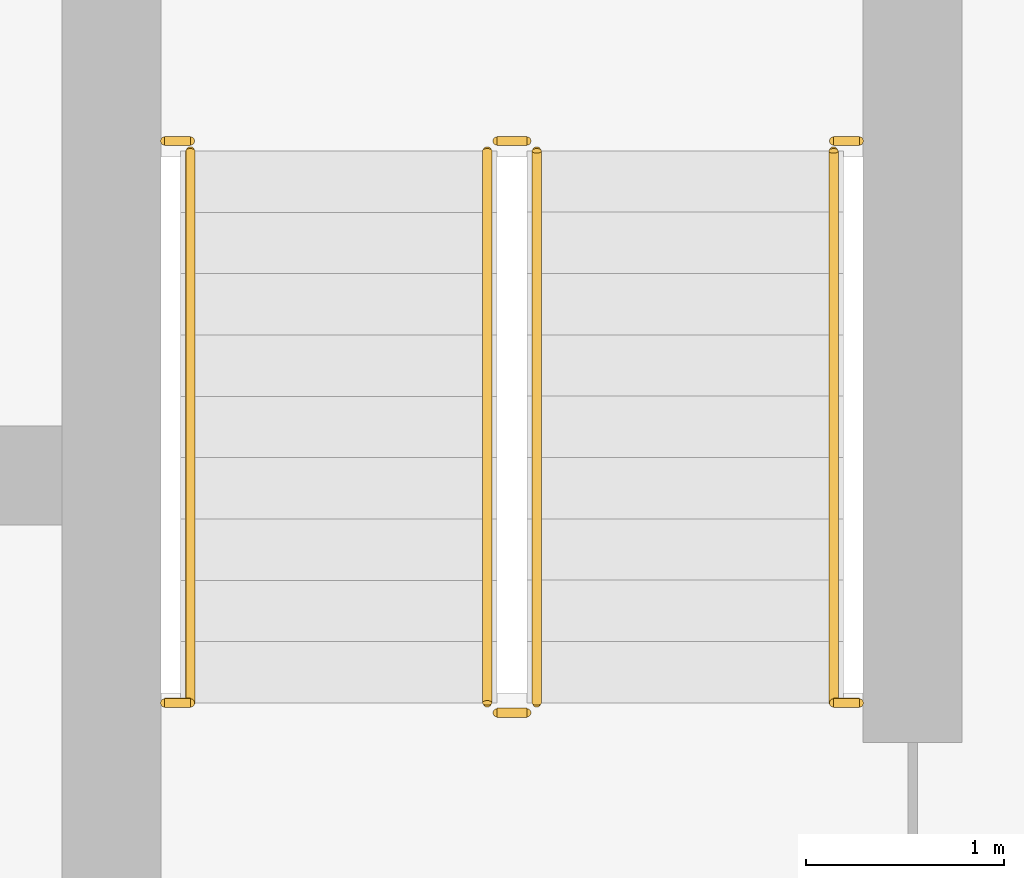
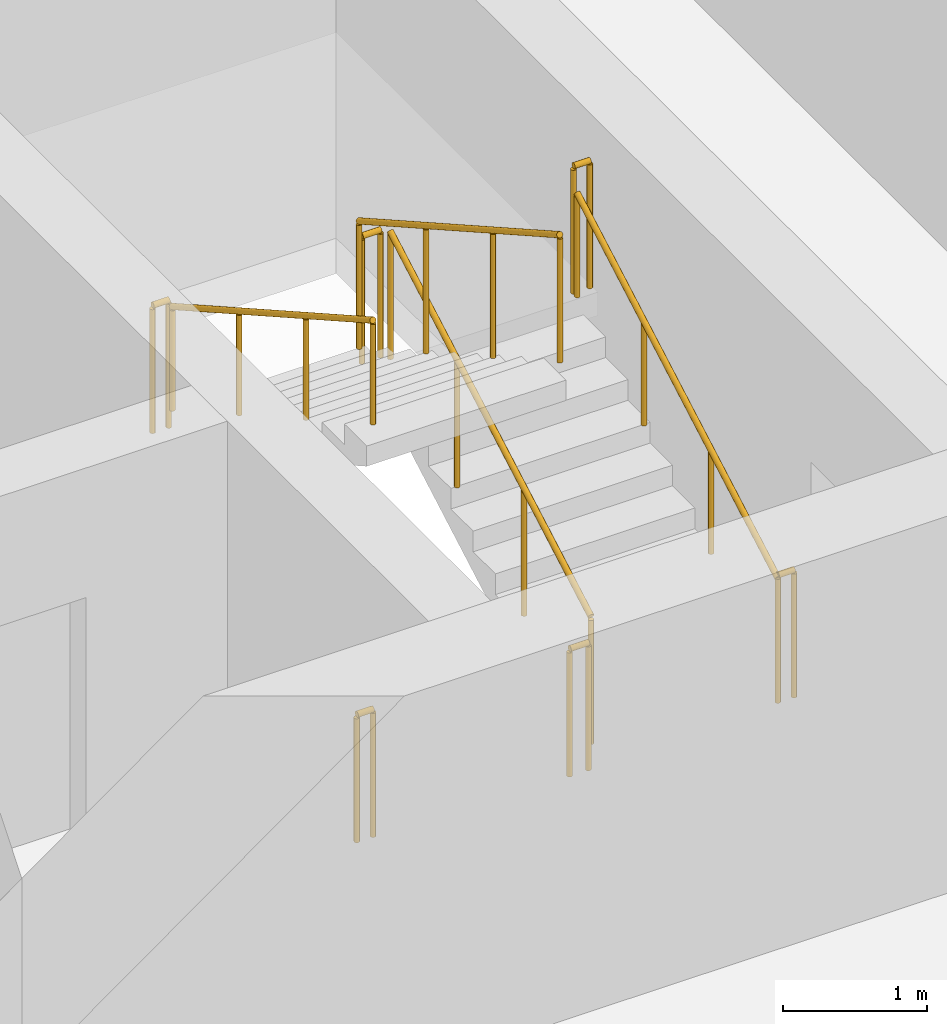
# One storey, part 20 of 22: 10 railings.
"""IFC4 building model written with IfcOpenShell, lengths in metres."""

import ifcopenshell
import ifcopenshell.guid

model = None  # the IFC model being written
_history = None  # IfcOwnerHistory: only IFC2X3 demands one
_inside = {}  # id of a spatial element -> (the spatial element, [elements in it])
_under = {}  # id of a project, library or spatial element -> (it, [spatial elements below it])
_declared = {}  # id of a project -> (the project, [libraries it declares])
_typed = {}  # id of a type object -> (the type object, [elements of that type])
_made_of = {}  # id of a material, layer set ... -> (it, [elements and type objects made of it])


def new_model(schema):
    """Start an empty IFC model of exactly this schema.

    Asked for "IFC4X3", IfcOpenShell would pick the latest addendum, in which some entities
    have other attributes; the version numbers below select the first issue.
    IFC2X3 requires an IfcOwnerHistory on every rooted entity: one is made here for all.
    """
    global model, _history
    if schema == "IFC4X3":
        model = ifcopenshell.file(schema_version=(4, 3, 0, 0))
    else:
        model = ifcopenshell.file(schema=schema)
    _inside.clear()
    _under.clear()
    _declared.clear()
    _typed.clear()
    _made_of.clear()
    _history = None
    if model.schema == "IFC2X3":
        org = make("IfcOrganization", Name="unknown")
        user = make(
            "IfcPersonAndOrganization",
            ThePerson=make("IfcPerson", FamilyName="unknown"),
            TheOrganization=org,
        )
        app = make(
            "IfcApplication",
            ApplicationDeveloper=org,
            Version="unknown",
            ApplicationFullName="unknown",
            ApplicationIdentifier="unknown",
        )
        _history = make(
            "IfcOwnerHistory",
            OwningUser=user,
            OwningApplication=app,
            ChangeAction="ADDED",
            CreationDate=0,
        )
    return model


def make(cls, **values):
    """One entity of the class cls with the attributes given. An attribute that is None is left unset."""
    return model.create_entity(
        cls, **{name: value for name, value in values.items() if value is not None}
    )


def rooted(cls, **values):
    """An entity with a GlobalId (a new one), such as an element, a storey or a relation."""
    return make(cls, GlobalId=ifcopenshell.guid.new(), OwnerHistory=_history, **values)


def si_unit(unit_type, name, prefix=None):
    """IfcSIUnit, for example si_unit("LENGTHUNIT", "METRE", prefix="MILLI")."""
    return make("IfcSIUnit", UnitType=unit_type, Prefix=prefix, Name=name)


def assignment(units):
    """IfcUnitAssignment: the units of a project."""
    return None if units is None else make("IfcUnitAssignment", Units=units)


def point(xyz):
    """IfcCartesianPoint."""
    return None if xyz is None else make("IfcCartesianPoint", Coordinates=xyz)


def direction(xyz):
    """IfcDirection."""
    return None if xyz is None else make("IfcDirection", DirectionRatios=xyz)


def frame(location, z_axis=None, x_axis=None):
    """IfcAxis2Placement3D, a coordinate frame: its origin and axes. An axis left out is left unset."""
    return make(
        "IfcAxis2Placement3D",
        Location=point(location),
        Axis=direction(z_axis),
        RefDirection=direction(x_axis),
    )


def frame_2d(location, x_axis=None):
    """IfcAxis2Placement2D, a coordinate frame in the plane: its origin and x axis."""
    return make(
        "IfcAxis2Placement2D", Location=point(location), RefDirection=direction(x_axis)
    )


def origin():
    """The frame at (0, 0, 0) with its axes left unset."""
    return frame((0.0, 0.0, 0.0))


def origin_2d():
    """The frame at (0, 0) in the plane with its x axis left unset."""
    return frame_2d((0.0, 0.0))


def place(relative_to, where):
    """IfcLocalPlacement: puts the frame where relative to a parent placement (None: the world)."""
    return make(
        "IfcLocalPlacement", PlacementRelTo=relative_to, RelativePlacement=where
    )


def context(
    kind, dimensions, precision=None, world=None, true_north=None, identifier=None
):
    """IfcGeometricRepresentationContext, for example the 3D "Model" context."""
    return make(
        "IfcGeometricRepresentationContext",
        ContextIdentifier=identifier,
        ContextType=kind,
        CoordinateSpaceDimension=dimensions,
        Precision=precision,
        WorldCoordinateSystem=world,
        TrueNorth=true_north,
    )


def subcontext(parent, identifier, kind, view, scale=None):
    """IfcGeometricRepresentationSubContext, for example "Body" below "Model"."""
    return make(
        "IfcGeometricRepresentationSubContext",
        ContextIdentifier=identifier,
        ContextType=kind,
        ParentContext=parent,
        TargetScale=scale,
        TargetView=view,
    )


def project(units=None, contexts=None):
    """IfcProject with its units and contexts."""
    return rooted(
        "IfcProject",
        Name="project",
        RepresentationContexts=contexts,
        UnitsInContext=assignment(units),
    )


def spatial(cls, under=None, at=None, **own):
    """A site, building, storey or space (cls), placed at a placement, below another one or the project."""
    s = rooted(cls, ObjectPlacement=at, **own)
    if under is not None:
        _under.setdefault(under.id(), (under, []))[1].append(s)
    return s


def profile(cls, at=None, kind="AREA", **sizes):
    """A parametric profile (cls). Its sizes go by their IFC names, for example OverallWidth=200.0."""
    return make(cls, ProfileType=kind, Position=at, **sizes)


def circle(**sizes):
    """IfcCircleProfileDef."""
    return profile("IfcCircleProfileDef", **sizes)


def extrude(swept, where, along, depth):
    """IfcExtrudedAreaSolid: the profile swept, set in the frame where, extruded along a direction by depth."""
    return make(
        "IfcExtrudedAreaSolid",
        SweptArea=swept,
        Position=where,
        ExtrudedDirection=direction(along),
        Depth=depth,
    )


def shape(context_of_items, identifier, shape_type, items):
    """IfcShapeRepresentation: the items that make up one representation, for example the "Body"."""
    return make(
        "IfcShapeRepresentation",
        ContextOfItems=context_of_items,
        RepresentationIdentifier=identifier,
        RepresentationType=shape_type,
        Items=items,
    )


def material(Name=None, Category=None):
    """IfcMaterial."""
    return make("IfcMaterial", Name=Name, Category=Category)


def made_of(thing, what):
    """Note that an element or type object is made of a material, layer set ...; save() writes the relation."""
    if what is not None:
        _made_of.setdefault(what.id(), (what, []))[1].append(thing)
    return thing


def type_object(cls, material=None, **own):
    """A type object (cls), such as IfcWallType, which elements share."""
    return made_of(rooted(cls, **own), material)


def element(
    cls,
    number,
    at=None,
    inside=None,
    cuts=None,
    type_object=None,
    material=None,
    context=None,
    identifier="Body",
    shape_type=None,
    held_by="IfcProductDefinitionShape",
    body=None,
    shapes=None,
    **own,
):
    """One element of the class cls, such as IfcWall. Its Tag is "e" and its number.

    at: its placement. inside: the storey or other place that contains it. cuts: it is an
    opening in that element (IfcRelVoidsElement). A single representation is given by context,
    identifier, shape_type and body (its items); several are given by shapes. held_by: the class
    of the entity that holds the representations. save() writes the other relations.
    """
    e = rooted(cls, Tag="e%d" % number, ObjectPlacement=at, **own)
    if body is not None:
        shapes = [shape(context, identifier, shape_type, body)]
    if shapes is not None:
        e.Representation = make(held_by, Representations=shapes)
    if inside is not None:
        _inside.setdefault(inside.id(), (inside, []))[1].append(e)
    if cuts is not None:
        rooted(
            "IfcRelVoidsElement", RelatingBuildingElement=cuts, RelatedOpeningElement=e
        )
    if type_object is not None:
        _typed.setdefault(type_object.id(), (type_object, []))[1].append(e)
    return made_of(e, material)


def aggregate(whole, parts):
    """IfcRelAggregates: a whole, such as a stair, and the parts it consists of."""
    return rooted("IfcRelAggregates", RelatingObject=whole, RelatedObjects=parts)


def save(model, path):
    """Write the relations noted so far, then the file.

    IfcRelAggregates (storeys below a building ...), IfcRelContainedInSpatialStructure (elements
    in a storey), IfcRelDefinesByType, IfcRelAssociatesMaterial and IfcRelDeclares: one each for
    every whole, place, type object, material and project.
    """
    for whole, parts in _under.values():
        aggregate(whole, parts)
    for where, things in _inside.values():
        rooted(
            "IfcRelContainedInSpatialStructure",
            RelatedElements=things,
            RelatingStructure=where,
        )
    for kind, things in _typed.values():
        rooted("IfcRelDefinesByType", RelatedObjects=things, RelatingType=kind)
    for what, things in _made_of.values():
        rooted("IfcRelAssociatesMaterial", RelatedObjects=things, RelatingMaterial=what)
    for by, libraries in _declared.values():
        rooted("IfcRelDeclares", RelatingContext=by, RelatedDefinitions=libraries)
    model.write(path)


model = new_model("IFC4")

# Units and contexts
model_context = context("Model", 3, precision=1e-05, world=origin(), true_north=direction((0.0, 1.0)))
body_context = subcontext(model_context, "Body", "Model", "MODEL_VIEW")
ifc_project = project(units=[si_unit("LENGTHUNIT", "METRE"), si_unit("AREAUNIT", "SQUARE_METRE"), si_unit("VOLUMEUNIT", "CUBIC_METRE"), si_unit("PLANEANGLEUNIT", "RADIAN"), si_unit("MASSUNIT", "GRAM", prefix="KILO")], contexts=[model_context])

# Site, building, storey
site_placement = place(None, origin())
site = spatial("IfcSite", under=ifc_project, at=site_placement, CompositionType="ELEMENT")
building_placement = place(site_placement, origin())
building = spatial("IfcBuilding", under=site, at=building_placement, Name="Madar Terraces", CompositionType="ELEMENT")
storey_placement = place(building_placement, frame((0.0, 0.0, 189.39990234375)))
storey = spatial("IfcBuildingStorey", under=building, at=storey_placement, Name="L49", CompositionType="ELEMENT", Elevation=189.39990234375)

# Railings
ifc_material_1 = material(Name="Stainless steel railing", Category="steel")
railing_type_1 = type_object("IfcRailingType", Name="Stair guard 1100", PredefinedType="GUARDRAIL", material=ifc_material_1)
railing_1_placement = place(storey_placement, frame((41.449951171875, 17.60009765625, 0.175048828125)))
element("IfcRailing", 1, at=railing_1_placement, inside=storey, type_object=railing_type_1, Name="L49 ST3 stair guard 1", PredefinedType="GUARDRAIL", context=body_context, shape_type="SweptSolid", body=[
    extrude(circle(Radius=0.02392578125, at=origin_2d()), frame((0.0, 0.0, 1.076171875), z_axis=(0.0, 0.870815363784, 0.491610213684), x_axis=(-1.0, 0.0, 0.0)), (0.0, 0.0, 1.0), 3.20361328125),
    extrude(circle(Radius=0.02099609375, at=origin_2d()), origin(), (0.0, 0.0, 1.0), 1.052001953125),
    extrude(circle(Radius=0.02099609375, at=origin_2d()), frame((0.0, 0.929931640625, 0.52490234375)), (0.0, 0.0, 1.0), 1.052001953125),
    extrude(circle(Radius=0.02099609375, at=origin_2d()), frame((0.0, 1.85986328125, 1.050048828125)), (0.0, 0.0, 1.0), 1.052001953125),
    extrude(circle(Radius=0.02099609375, at=origin_2d()), frame((0.0, 2.789794921875, 1.574951171875)), (0.0, 0.0, 1.0), 1.052001953125),
])
railing_2_placement = place(storey_placement, frame((41.39990234375, 20.43994140625, 1.75)))
element("IfcRailing", 2, at=railing_2_placement, inside=storey, type_object=railing_type_1, Name="L49 ST3 stair guard 2", PredefinedType="GUARDRAIL", context=body_context, shape_type="SweptSolid", body=[
    extrude(circle(Radius=0.02392578125, at=origin_2d()), frame((0.0, 0.0, 1.076171875), z_axis=(-1.0, 0.0, 0.0), x_axis=(0.0, -1.0, 0.0)), (0.0, 0.0, 1.0), 0.14990234375),
    extrude(circle(Radius=0.02099609375, at=origin_2d()), origin(), (0.0, 0.0, 1.0), 1.052001953125),
    extrude(circle(Radius=0.02099609375, at=origin_2d()), frame((-0.14990234375, 0.0, 0.0)), (0.0, 0.0, 1.0), 1.052001953125),
])
railing_3_placement = place(storey_placement, frame((41.199951171875, 20.389892578125, 1.925048828125)))
element("IfcRailing", 3, at=railing_3_placement, inside=storey, type_object=railing_type_1, Name="L49 ST3 stair guard 3", PredefinedType="GUARDRAIL", context=body_context, shape_type="SweptSolid", body=[
    extrude(circle(Radius=0.02392578125, at=origin_2d()), frame((0.0, 0.0, 1.076171875), z_axis=(0.0, -0.870815363784, 0.491610213684), x_axis=(1.0, 0.0, 0.0)), (0.0, 0.0, 1.0), 3.20361328125),
    extrude(circle(Radius=0.02099609375, at=origin_2d()), origin(), (0.0, 0.0, 1.0), 1.052001953125),
    extrude(circle(Radius=0.02099609375, at=origin_2d()), frame((0.0, -0.929931640625, 0.52490234375)), (0.0, 0.0, 1.0), 1.052001953125),
    extrude(circle(Radius=0.02099609375, at=origin_2d()), frame((0.0, -1.85986328125, 1.050048828125)), (0.0, 0.0, 1.0), 1.052001953125),
    extrude(circle(Radius=0.02099609375, at=origin_2d()), frame((0.0, -2.789794921875, 1.574951171875)), (0.0, 0.0, 1.0), 1.052001953125),
])
railing_4_placement = place(storey_placement, frame((41.39990234375, 17.550048828125, 0.0)))
element("IfcRailing", 4, at=railing_4_placement, inside=storey, type_object=railing_type_1, Name="L49 ST3 stair guard 4", PredefinedType="GUARDRAIL", context=body_context, shape_type="SweptSolid", body=[
    extrude(circle(Radius=0.02392578125, at=origin_2d()), frame((0.0, 0.0, 1.076171875), z_axis=(-1.0, 0.0, 0.0), x_axis=(0.0, -1.0, 0.0)), (0.0, 0.0, 1.0), 0.14990234375),
    extrude(circle(Radius=0.02099609375, at=origin_2d()), origin(), (0.0, 0.0, 1.0), 1.052001953125),
    extrude(circle(Radius=0.02099609375, at=origin_2d()), frame((-0.14990234375, 0.0, 0.0)), (0.0, 0.0, 1.0), 1.052001953125),
])
railing_5_placement = place(storey_placement, frame((39.570068359375, 20.43994140625, 1.75)))
element("IfcRailing", 5, at=railing_5_placement, inside=storey, type_object=railing_type_1, Name="L49 stair guard seat 1", PredefinedType="GUARDRAIL", context=body_context, shape_type="SweptSolid", body=[
    extrude(circle(Radius=0.02392578125, at=origin_2d()), frame((0.0, 0.0, 1.076171875), z_axis=(1.0, 0.0, 0.0), x_axis=(0.0, 1.0, 0.0)), (0.0, 0.0, 1.0), 0.1298828125),
    extrude(circle(Radius=0.02099609375, at=origin_2d()), origin(), (0.0, 0.0, 1.0), 1.052001953125),
    extrude(circle(Radius=0.02099609375, at=origin_2d()), frame((0.1298828125, 0.0, 0.0)), (0.0, 0.0, 1.0), 1.052001953125),
])
railing_6_placement = place(storey_placement, frame((42.949951171875, 20.43994140625, 1.75)))
element("IfcRailing", 6, at=railing_6_placement, inside=storey, type_object=railing_type_1, Name="L49 stair guard seat 2", PredefinedType="GUARDRAIL", context=body_context, shape_type="SweptSolid", body=[
    extrude(circle(Radius=0.02392578125, at=origin_2d()), frame((0.0, 0.0, 1.076171875), z_axis=(1.0, 0.0, 0.0), x_axis=(0.0, 1.0, 0.0)), (0.0, 0.0, 1.0), 0.130126953125),
    extrude(circle(Radius=0.02099609375, at=origin_2d()), origin(), (0.0, 0.0, 1.0), 1.052001953125),
    extrude(circle(Radius=0.02099609375, at=origin_2d()), frame((0.130126953125, 0.0, 0.0)), (0.0, 0.0, 1.0), 1.052001953125),
])
railing_7_placement = place(storey_placement, frame((39.570068359375, 17.60009765625, 0.0)))
element("IfcRailing", 7, at=railing_7_placement, inside=storey, type_object=railing_type_1, Name="L49 stair guard floor 1", PredefinedType="GUARDRAIL", context=body_context, shape_type="SweptSolid", body=[
    extrude(circle(Radius=0.02392578125, at=origin_2d()), frame((0.0, 0.0, 1.076171875), z_axis=(1.0, 0.0, 0.0), x_axis=(0.0, 1.0, 0.0)), (0.0, 0.0, 1.0), 0.1298828125),
    extrude(circle(Radius=0.02099609375, at=origin_2d()), origin(), (0.0, 0.0, 1.0), 1.052001953125),
    extrude(circle(Radius=0.02099609375, at=origin_2d()), frame((0.1298828125, 0.0, 0.0)), (0.0, 0.0, 1.0), 1.052001953125),
])
railing_8_placement = place(storey_placement, frame((42.949951171875, 17.60009765625, 0.0)))
element("IfcRailing", 8, at=railing_8_placement, inside=storey, type_object=railing_type_1, Name="L49 stair guard floor 2", PredefinedType="GUARDRAIL", context=body_context, shape_type="SweptSolid", body=[
    extrude(circle(Radius=0.02392578125, at=origin_2d()), frame((0.0, 0.0, 1.076171875), z_axis=(1.0, 0.0, 0.0), x_axis=(0.0, 1.0, 0.0)), (0.0, 0.0, 1.0), 0.130126953125),
    extrude(circle(Radius=0.02099609375, at=origin_2d()), origin(), (0.0, 0.0, 1.0), 1.052001953125),
    extrude(circle(Radius=0.02099609375, at=origin_2d()), frame((0.130126953125, 0.0, 0.0)), (0.0, 0.0, 1.0), 1.052001953125),
])
ifc_material_2 = material(Name="Stainless steel railing", Category="steel")
railing_type_2 = type_object("IfcRailingType", Name="Stair handrail 900", PredefinedType="HANDRAIL", material=ifc_material_2)
railing_9_placement = place(storey_placement, frame((42.949951171875, 17.60009765625, 0.175048828125)))
element("IfcRailing", 9, at=railing_9_placement, inside=storey, type_object=railing_type_2, Name="L49 ST3 stair handrail 1", PredefinedType="HANDRAIL", context=body_context, shape_type="SweptSolid", body=[
    extrude(circle(Radius=0.02392578125, at=origin_2d()), frame((0.0, 0.0, 0.8759765625), z_axis=(0.0, 0.870815363784, 0.491610213684), x_axis=(-1.0, 0.0, 0.0)), (0.0, 0.0, 1.0), 3.20361328125),
    extrude(circle(Radius=0.02099609375, at=origin_2d()), origin(), (0.0, 0.0, 1.0), 0.851806640625),
    extrude(circle(Radius=0.02099609375, at=origin_2d()), frame((0.0, 0.929931640625, 0.52490234375)), (0.0, 0.0, 1.0), 0.851806640625),
    extrude(circle(Radius=0.02099609375, at=origin_2d()), frame((0.0, 1.85986328125, 1.050048828125)), (0.0, 0.0, 1.0), 0.851806640625),
    extrude(circle(Radius=0.02099609375, at=origin_2d()), frame((0.0, 2.789794921875, 1.574951171875)), (0.0, 0.0, 1.0), 0.851806640625),
])
railing_10_placement = place(storey_placement, frame((39.699951171875, 20.389892578125, 1.925048828125)))
element("IfcRailing", 10, at=railing_10_placement, inside=storey, type_object=railing_type_2, Name="L49 ST3 stair handrail 2", PredefinedType="HANDRAIL", context=body_context, shape_type="SweptSolid", body=[
    extrude(circle(Radius=0.02392578125, at=origin_2d()), frame((0.0, 0.0, 0.8759765625), z_axis=(0.0, -0.870815363784, 0.491610213684), x_axis=(1.0, 0.0, 0.0)), (0.0, 0.0, 1.0), 3.20361328125),
    extrude(circle(Radius=0.02099609375, at=origin_2d()), origin(), (0.0, 0.0, 1.0), 0.851806640625),
    extrude(circle(Radius=0.02099609375, at=origin_2d()), frame((0.0, -0.929931640625, 0.52490234375)), (0.0, 0.0, 1.0), 0.851806640625),
    extrude(circle(Radius=0.02099609375, at=origin_2d()), frame((0.0, -1.85986328125, 1.050048828125)), (0.0, 0.0, 1.0), 0.851806640625),
    extrude(circle(Radius=0.02099609375, at=origin_2d()), frame((0.0, -2.789794921875, 1.574951171875)), (0.0, 0.0, 1.0), 0.851806640625),
])

save(model, "model.ifc")
